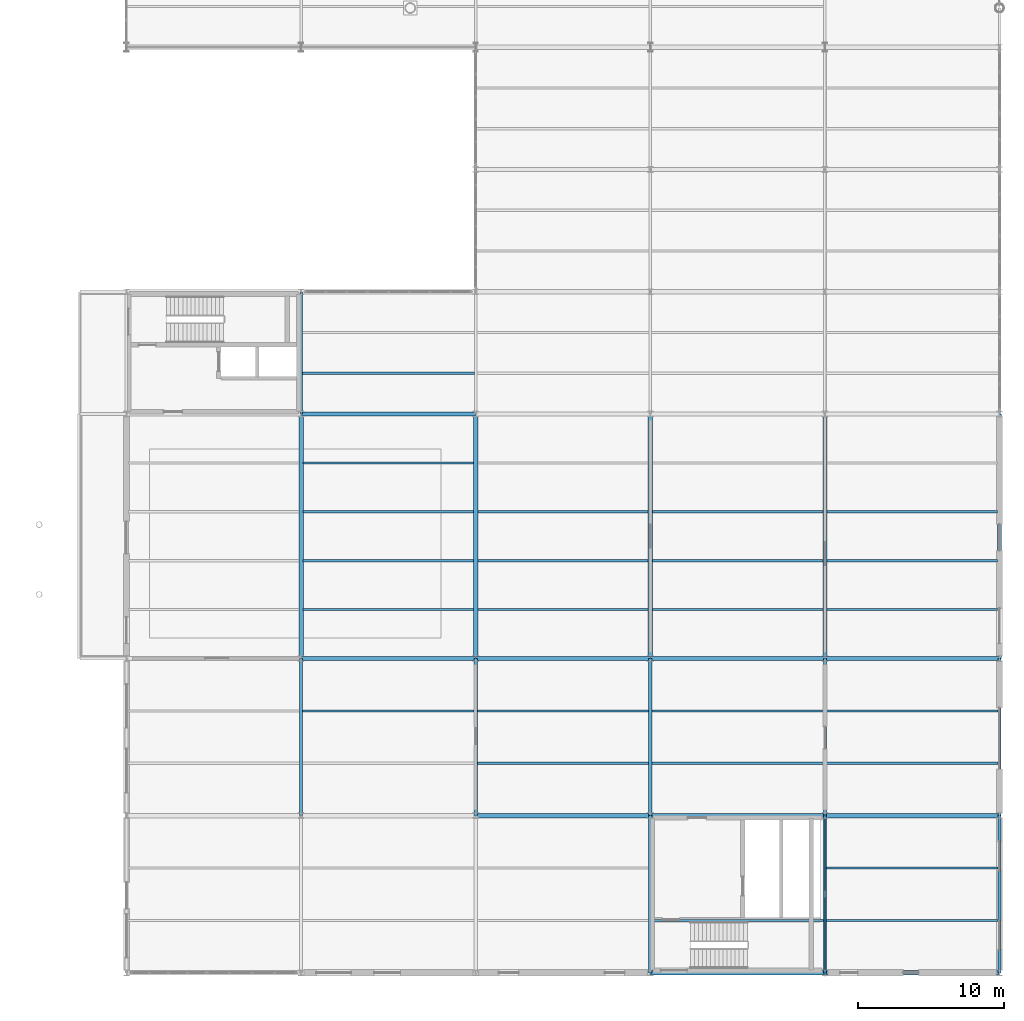
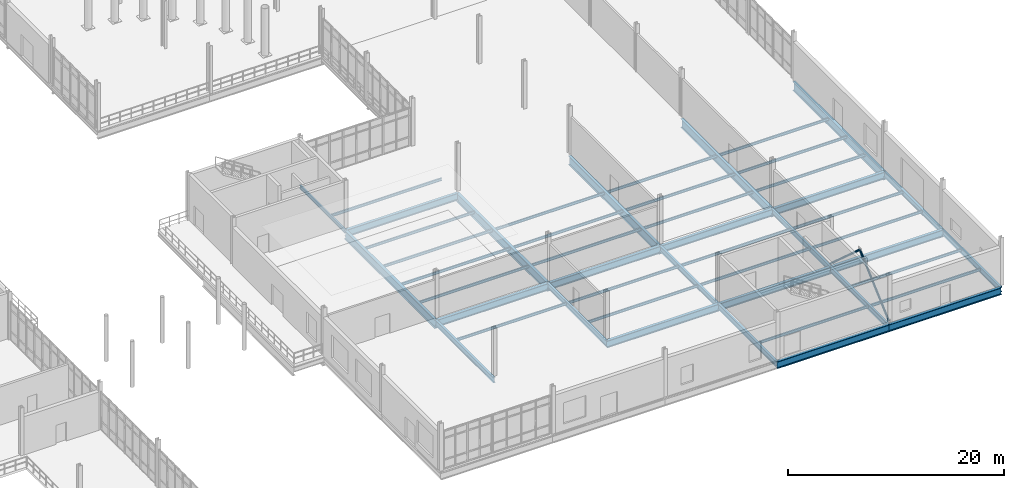
# One storey, part 64 of 111: 48 beams, 2 members.
"""IFC4 building model written with IfcOpenShell, lengths in metres."""

from ifc_helpers import new_model, si_unit, direction, frame, origin, origin_2d, place, context, subcontext, project, spatial, hollow_circle, i_section, extrude, material, material_profile, profile_set, type_object, element, save


model = new_model("IFC4")

# Units and contexts
model_context = context("Model", 3, precision=1e-05, world=origin(), true_north=direction((0.0, 1.0)))
body_context = subcontext(model_context, "Body", "Model", "MODEL_VIEW")
ifc_project = project(units=[si_unit("LENGTHUNIT", "METRE"), si_unit("AREAUNIT", "SQUARE_METRE"), si_unit("VOLUMEUNIT", "CUBIC_METRE"), si_unit("PLANEANGLEUNIT", "RADIAN"), si_unit("MASSUNIT", "GRAM", prefix="KILO"), si_unit("THERMODYNAMICTEMPERATUREUNIT", "KELVIN"), si_unit("POWERUNIT", "WATT")], contexts=[model_context])

# Site, building, storey
site_placement = place(None, origin())
site = spatial("IfcSite", under=ifc_project, at=site_placement, CompositionType="ELEMENT")
building_placement = place(site_placement, origin())
building = spatial("IfcBuilding", under=site, at=building_placement, Name="Tembeka Court Mobility Hub", CompositionType="ELEMENT")
storey_placement = place(building_placement, origin())
storey = spatial("IfcBuildingStorey", under=building, at=storey_placement, Name="L00", CompositionType="ELEMENT", Elevation=0.0)

# Beams
ifc_material = material(Name="Steel S355", Category="steel")
ifc_material_profile_1 = material_profile(ifc_material, i_section(OverallWidth=0.177978515625, OverallDepth=0.406005859375, WebThickness=0.0078125, FlangeThickness=0.0126953125, FilletRadius=0.01025390625, at=origin_2d()), Name="UKB 406x178x60")
ifc_profile_set_1 = profile_set([ifc_material_profile_1], Name="Steel S355")
beam_type_1 = type_object("IfcBeamType", Name="BM-B02", PredefinedType="BEAM", material=ifc_profile_set_1)
beam_1_placement = place(storey_placement, frame((128.39990234375, 38.39990234375, -0.48291015625), z_axis=(0.0, 1.0, 0.0), x_axis=(-1.0, 0.0, 0.0)))
element("IfcBeam", 1, at=beam_1_placement, inside=storey, type_object=beam_type_1, Name="Beam B02 (BM-L00-Y0287)", PredefinedType="BEAM", context=body_context, shape_type="SweptSolid", body=[
    extrude(i_section(OverallWidth=0.177978515625, OverallDepth=0.406005859375, WebThickness=0.0078125, FlangeThickness=0.0126953125, FilletRadius=0.01025390625, at=origin_2d()), origin(), (0.0, 0.0, 1.0), 8.400146484375),
])
ifc_material_profile_2 = material_profile(ifc_material, i_section(OverallWidth=0.22900390625, OverallDepth=0.612060546875, WebThickness=0.011962890625, FlangeThickness=0.01953125, FilletRadius=0.0126953125, at=origin_2d()), Name="UKB 610x229x125")
ifc_profile_set_2 = profile_set([ifc_material_profile_2], Name="Steel S355")
beam_type_2 = type_object("IfcBeamType", Name="BM-G02", PredefinedType="USERDEFINED", material=ifc_profile_set_2)
for number, where, z_axis, x_axis, name in (
    (2, (128.39990234375, 10.800048828125, -0.5859375), (0.0, 1.0, 0.0), (-1.0, 0.0, 0.0), "Beam G02 (BM-L00-Y0285)"),
    (3, (140.39990234375, 10.800048828125, -0.5859375), (0.0, 1.0, 0.0), (-1.0, 0.0, 0.0), "Beam G02 (BM-L00-Y0293)"),
    (4, (152.39990234375, 0.0, -0.5859375), (0.0, 1.0, 0.0), (-1.0, 0.0, 0.0), "Beam G02 (BM-L00-Y0301)"),
    (5, (152.39990234375, 10.800048828125, -0.5859375), (0.0, 1.0, 0.0), (-1.0, 0.0, 0.0), "Beam G02 (BM-L00-Y0302)"),
    (6, (164.39990234375, 0.0, -0.5859375), (0.0, 1.0, 0.0), (-1.0, 0.0, 0.0), "Beam G02 (BM-L00-Y0310)"),
    (7, (164.39990234375, 10.800048828125, -0.5859375), (0.0, 1.0, 0.0), (-1.0, 0.0, 0.0), "Beam G02 (BM-L00-Y0311)"),
    (8, (176.39990234375, 0.0, -0.5859375), (0.0, 1.0, 0.0), (-1.0, 0.0, 0.0), "Beam G02 (BM-L00-Y0319)"),
    (9, (176.39990234375, 10.800048828125, -0.5859375), (0.0, 1.0, 0.0), (-1.0, 0.0, 0.0), "Beam G02 (BM-L00-Y0320)"),
):
    element("IfcBeam", number, at=place(storey_placement, frame(where, z_axis=z_axis, x_axis=x_axis)), inside=storey, type_object=beam_type_2, Name=name, ObjectType="GIRDER", PredefinedType="USERDEFINED", context=body_context, shape_type="SweptSolid", body=[
        extrude(i_section(OverallWidth=0.22900390625, OverallDepth=0.612060546875, WebThickness=0.011962890625, FlangeThickness=0.01953125, FilletRadius=0.0126953125, at=origin_2d()), origin(), (0.0, 0.0, 1.0), 10.800048828125),
    ])
ifc_material_profile_3 = material_profile(ifc_material, i_section(OverallWidth=0.300048828125, OverallDepth=0.800048828125, WebThickness=0.017578125, FlangeThickness=0.034912109375, FilletRadius=0.030029296875, at=origin_2d()), Name="HEB 800")
ifc_profile_set_3 = profile_set([ifc_material_profile_3], Name="Steel S355")
beam_type_3 = type_object("IfcBeamType", Name="BM-G04", PredefinedType="USERDEFINED", material=ifc_profile_set_3)
for number, where, z_axis, x_axis, name in (
    (10, (152.39990234375, 0.0, -0.679931640625), (1.0, 0.0, 0.0), (0.0, 1.0, 0.0), "Beam G04 (BM-L00-X0014)"),
    (11, (164.39990234375, 0.0, -0.679931640625), (1.0, 0.0, 0.0), (0.0, 1.0, 0.0), "Beam G04 (BM-L00-X0015)"),
    (12, (140.39990234375, 10.800048828125, -0.679931640625), (1.0, 0.0, 0.0), (0.0, 1.0, 0.0), "Beam G04 (BM-L00-X0021)"),
    (13, (152.39990234375, 10.800048828125, -0.679931640625), (1.0, 0.0, 0.0), (0.0, 1.0, 0.0), "Beam G04 (BM-L00-X0022)"),
    (14, (164.39990234375, 10.800048828125, -0.679931640625), (1.0, 0.0, 0.0), (0.0, 1.0, 0.0), "Beam G04 (BM-L00-X0023)"),
    (15, (128.39990234375, 21.60009765625, -0.679931640625), (1.0, 0.0, 0.0), (0.0, 1.0, 0.0), "Beam G04 (BM-L00-X0037)"),
    (16, (140.39990234375, 21.60009765625, -0.679931640625), (1.0, 0.0, 0.0), (0.0, 1.0, 0.0), "Beam G04 (BM-L00-X0038)"),
    (17, (152.39990234375, 21.60009765625, -0.679931640625), (1.0, 0.0, 0.0), (0.0, 1.0, 0.0), "Beam G04 (BM-L00-X0039)"),
    (18, (164.39990234375, 21.60009765625, -0.679931640625), (1.0, 0.0, 0.0), (0.0, 1.0, 0.0), "Beam G04 (BM-L00-X0040)"),
    (19, (128.39990234375, 38.39990234375, -0.679931640625), (1.0, 0.0, 0.0), (0.0, 1.0, 0.0), "Beam G04 (BM-L00-X0055)"),
):
    element("IfcBeam", number, at=place(storey_placement, frame(where, z_axis=z_axis, x_axis=x_axis)), inside=storey, type_object=beam_type_3, Name=name, ObjectType="GIRDER", PredefinedType="USERDEFINED", context=body_context, shape_type="SweptSolid", body=[
        extrude(i_section(OverallWidth=0.300048828125, OverallDepth=0.800048828125, WebThickness=0.017578125, FlangeThickness=0.034912109375, FilletRadius=0.030029296875, at=origin_2d()), origin(), (0.0, 0.0, 1.0), 12.0),
    ])
ifc_material_profile_4 = material_profile(ifc_material, i_section(OverallWidth=0.14990234375, OverallDepth=0.300048828125, WebThickness=0.007080078125, FlangeThickness=0.0107421875, FilletRadius=0.014892578125, at=origin_2d()), Name="IPE 300")
ifc_profile_set_4 = profile_set([ifc_material_profile_4], Name="Steel S355")
beam_type_4 = type_object("IfcBeamType", Name="BM-J04", PredefinedType="JOIST", material=ifc_profile_set_4)
beam_2_placement = place(storey_placement, frame((128.509521484375, 18.0, -0.429931640625), z_axis=(1.0, 0.0, 0.0), x_axis=(0.0, 1.0, 0.0)))
element("IfcBeam", 20, at=beam_2_placement, inside=storey, type_object=beam_type_4, Name="Beam J04 (JST-L00-0540)", PredefinedType="JOIST", context=body_context, shape_type="SweptSolid", body=[
    extrude(i_section(OverallWidth=0.14990234375, OverallDepth=0.300048828125, WebThickness=0.007080078125, FlangeThickness=0.0107421875, FilletRadius=0.014892578125, at=origin_2d()), origin(), (0.0, 0.0, 1.0), 11.781005859375),
])
for number, where, z_axis, x_axis, name in (
    (21, (128.544921875, 24.9599609375, -0.429931640625), (1.0, 0.0, 0.0), (0.0, 1.0, 0.0), "Beam J04 (JST-L00-0541)"),
    (22, (128.544921875, 28.320068359375, -0.429931640625), (1.0, 0.0, 0.0), (0.0, 1.0, 0.0), "Beam J04 (JST-L00-0542)"),
    (23, (128.544921875, 31.679931640625, -0.429931640625), (1.0, 0.0, 0.0), (0.0, 1.0, 0.0), "Beam J04 (JST-L00-0543)"),
    (24, (128.544921875, 35.0400390625, -0.429931640625), (1.0, 0.0, 0.0), (0.0, 1.0, 0.0), "Beam J04 (JST-L00-0544)"),
):
    element("IfcBeam", number, at=place(storey_placement, frame(where, z_axis=z_axis, x_axis=x_axis)), inside=storey, type_object=beam_type_4, Name=name, PredefinedType="JOIST", context=body_context, shape_type="SweptSolid", body=[
        extrude(i_section(OverallWidth=0.14990234375, OverallDepth=0.300048828125, WebThickness=0.007080078125, FlangeThickness=0.0107421875, FilletRadius=0.014892578125, at=origin_2d()), origin(), (0.0, 0.0, 1.0), 11.7099609375),
    ])
beam_3_placement = place(storey_placement, frame((128.48388671875, 41.199951171875, -0.429931640625), z_axis=(1.0, 0.0, 0.0), x_axis=(0.0, 1.0, 0.0)))
element("IfcBeam", 25, at=beam_3_placement, inside=storey, type_object=beam_type_4, Name="Beam J04 (JST-L00-0545)", PredefinedType="JOIST", context=body_context, shape_type="SweptSolid", body=[
    extrude(i_section(OverallWidth=0.14990234375, OverallDepth=0.300048828125, WebThickness=0.007080078125, FlangeThickness=0.0107421875, FilletRadius=0.014892578125, at=origin_2d()), origin(), (0.0, 0.0, 1.0), 11.83203125),
])
for number, where, z_axis, x_axis, name in (
    (26, (140.509521484375, 14.39990234375, -0.429931640625), (1.0, 0.0, 0.0), (0.0, 1.0, 0.0), "Beam J04 (JST-L00-0554)"),
    (27, (140.509521484375, 18.0, -0.429931640625), (1.0, 0.0, 0.0), (0.0, 1.0, 0.0), "Beam J04 (JST-L00-0555)"),
):
    element("IfcBeam", number, at=place(storey_placement, frame(where, z_axis=z_axis, x_axis=x_axis)), inside=storey, type_object=beam_type_4, Name=name, PredefinedType="JOIST", context=body_context, shape_type="SweptSolid", body=[
        extrude(i_section(OverallWidth=0.14990234375, OverallDepth=0.300048828125, WebThickness=0.007080078125, FlangeThickness=0.0107421875, FilletRadius=0.014892578125, at=origin_2d()), origin(), (0.0, 0.0, 1.0), 11.781005859375),
    ])
for number, where, z_axis, x_axis, name in (
    (28, (140.544921875, 24.9599609375, -0.429931640625), (1.0, 0.0, 0.0), (0.0, 1.0, 0.0), "Beam J04 (JST-L00-0556)"),
    (29, (140.544921875, 28.320068359375, -0.429931640625), (1.0, 0.0, 0.0), (0.0, 1.0, 0.0), "Beam J04 (JST-L00-0557)"),
    (30, (140.544921875, 31.679931640625, -0.429931640625), (1.0, 0.0, 0.0), (0.0, 1.0, 0.0), "Beam J04 (JST-L00-0558)"),
):
    element("IfcBeam", number, at=place(storey_placement, frame(where, z_axis=z_axis, x_axis=x_axis)), inside=storey, type_object=beam_type_4, Name=name, PredefinedType="JOIST", context=body_context, shape_type="SweptSolid", body=[
        extrude(i_section(OverallWidth=0.14990234375, OverallDepth=0.300048828125, WebThickness=0.007080078125, FlangeThickness=0.0107421875, FilletRadius=0.014892578125, at=origin_2d()), origin(), (0.0, 0.0, 1.0), 11.7099609375),
    ])
for number, where, z_axis, x_axis, name in (
    (31, (152.509521484375, 3.60009765625, -0.429931640625), (1.0, 0.0, 0.0), (0.0, 1.0, 0.0), "Beam J04 (JST-L00-0571)"),
    (32, (152.509521484375, 14.39990234375, -0.429931640625), (1.0, 0.0, 0.0), (0.0, 1.0, 0.0), "Beam J04 (JST-L00-0572)"),
    (33, (152.509521484375, 18.0, -0.429931640625), (1.0, 0.0, 0.0), (0.0, 1.0, 0.0), "Beam J04 (JST-L00-0573)"),
):
    element("IfcBeam", number, at=place(storey_placement, frame(where, z_axis=z_axis, x_axis=x_axis)), inside=storey, type_object=beam_type_4, Name=name, PredefinedType="JOIST", context=body_context, shape_type="SweptSolid", body=[
        extrude(i_section(OverallWidth=0.14990234375, OverallDepth=0.300048828125, WebThickness=0.007080078125, FlangeThickness=0.0107421875, FilletRadius=0.014892578125, at=origin_2d()), origin(), (0.0, 0.0, 1.0), 11.781005859375),
    ])
for number, where, z_axis, x_axis, name in (
    (34, (152.544921875, 24.9599609375, -0.429931640625), (1.0, 0.0, 0.0), (0.0, 1.0, 0.0), "Beam J04 (JST-L00-0574)"),
    (35, (152.544921875, 28.320068359375, -0.429931640625), (1.0, 0.0, 0.0), (0.0, 1.0, 0.0), "Beam J04 (JST-L00-0575)"),
    (36, (152.544921875, 31.679931640625, -0.429931640625), (1.0, 0.0, 0.0), (0.0, 1.0, 0.0), "Beam J04 (JST-L00-0576)"),
):
    element("IfcBeam", number, at=place(storey_placement, frame(where, z_axis=z_axis, x_axis=x_axis)), inside=storey, type_object=beam_type_4, Name=name, PredefinedType="JOIST", context=body_context, shape_type="SweptSolid", body=[
        extrude(i_section(OverallWidth=0.14990234375, OverallDepth=0.300048828125, WebThickness=0.007080078125, FlangeThickness=0.0107421875, FilletRadius=0.014892578125, at=origin_2d()), origin(), (0.0, 0.0, 1.0), 11.7099609375),
    ])
for number, where, z_axis, x_axis, name in (
    (37, (164.509521484375, 3.60009765625, -0.429931640625), (1.0, 0.0, 0.0), (0.0, 1.0, 0.0), "Beam J04 (JST-L00-0591)"),
    (38, (164.509521484375, 7.199951171875, -0.429931640625), (1.0, 0.0, 0.0), (0.0, 1.0, 0.0), "Beam J04 (JST-L00-0592)"),
    (39, (164.509521484375, 14.39990234375, -0.429931640625), (1.0, 0.0, 0.0), (0.0, 1.0, 0.0), "Beam J04 (JST-L00-0593)"),
    (40, (164.509521484375, 18.0, -0.429931640625), (1.0, 0.0, 0.0), (0.0, 1.0, 0.0), "Beam J04 (JST-L00-0594)"),
):
    element("IfcBeam", number, at=place(storey_placement, frame(where, z_axis=z_axis, x_axis=x_axis)), inside=storey, type_object=beam_type_4, Name=name, PredefinedType="JOIST", context=body_context, shape_type="SweptSolid", body=[
        extrude(i_section(OverallWidth=0.14990234375, OverallDepth=0.300048828125, WebThickness=0.007080078125, FlangeThickness=0.0107421875, FilletRadius=0.014892578125, at=origin_2d()), origin(), (0.0, 0.0, 1.0), 11.781005859375),
    ])
for number, where, z_axis, x_axis, name in (
    (41, (164.544921875, 24.9599609375, -0.429931640625), (1.0, 0.0, 0.0), (0.0, 1.0, 0.0), "Beam J04 (JST-L00-0595)"),
    (42, (164.544921875, 28.320068359375, -0.429931640625), (1.0, 0.0, 0.0), (0.0, 1.0, 0.0), "Beam J04 (JST-L00-0596)"),
    (43, (164.544921875, 31.679931640625, -0.429931640625), (1.0, 0.0, 0.0), (0.0, 1.0, 0.0), "Beam J04 (JST-L00-0597)"),
):
    element("IfcBeam", number, at=place(storey_placement, frame(where, z_axis=z_axis, x_axis=x_axis)), inside=storey, type_object=beam_type_4, Name=name, PredefinedType="JOIST", context=body_context, shape_type="SweptSolid", body=[
        extrude(i_section(OverallWidth=0.14990234375, OverallDepth=0.300048828125, WebThickness=0.007080078125, FlangeThickness=0.0107421875, FilletRadius=0.014892578125, at=origin_2d()), origin(), (0.0, 0.0, 1.0), 11.7099609375),
    ])
ifc_material_profile_5 = material_profile(ifc_material, i_section(OverallWidth=0.300048828125, OverallDepth=1.0, WebThickness=0.01904296875, FlangeThickness=0.035888671875, FilletRadius=0.030029296875, at=origin_2d()), Name="HEB 1000")
ifc_profile_set_5 = profile_set([ifc_material_profile_5], Name="Steel S355")
beam_type_5 = type_object("IfcBeamType", Name="BM-TG01", PredefinedType="USERDEFINED", material=ifc_profile_set_5)
for number, where, z_axis, x_axis, name in (
    (44, (128.39990234375, 21.60009765625, -0.780029296875), (0.0, 1.0, 0.0), (-1.0, 0.0, 0.0), "Beam TG01 (BM-L00-Y0286)"),
    (45, (140.39990234375, 21.60009765625, -0.780029296875), (0.0, 1.0, 0.0), (-1.0, 0.0, 0.0), "Beam TG01 (BM-L00-Y0294)"),
    (46, (152.39990234375, 21.60009765625, -0.780029296875), (0.0, 1.0, 0.0), (-1.0, 0.0, 0.0), "Beam TG01 (BM-L00-Y0303)"),
    (47, (164.39990234375, 21.60009765625, -0.780029296875), (0.0, 1.0, 0.0), (-1.0, 0.0, 0.0), "Beam TG01 (BM-L00-Y0312)"),
    (48, (176.39990234375, 21.60009765625, -0.780029296875), (0.0, 1.0, 0.0), (-1.0, 0.0, 0.0), "Beam TG01 (BM-L00-Y0321)"),
):
    element("IfcBeam", number, at=place(storey_placement, frame(where, z_axis=z_axis, x_axis=x_axis)), inside=storey, type_object=beam_type_5, Name=name, ObjectType="GIRDER", PredefinedType="USERDEFINED", context=body_context, shape_type="SweptSolid", body=[
        extrude(i_section(OverallWidth=0.300048828125, OverallDepth=1.0, WebThickness=0.01904296875, FlangeThickness=0.035888671875, FilletRadius=0.030029296875, at=origin_2d()), origin(), (0.0, 0.0, 1.0), 16.7998046875),
    ])

# Members
ifc_material_profile_6 = material_profile(ifc_material, hollow_circle(Radius=0.109619140625, WallThickness=0.010009765625, at=origin_2d()), Name="CHS 219.1x10")
ifc_profile_set_6 = profile_set([ifc_material_profile_6], Name="Steel S355")
member_type = type_object("IfcMemberType", Name="MEM-BR01", PredefinedType="BRACE", material=ifc_profile_set_6)
member_1_placement = place(storey_placement, frame((164.39990234375, 0.0, 0.02001953125), z_axis=(0.0, 0.745338252968, 0.666686499535), x_axis=(-1.0, 0.0, 0.0)))
element("IfcMember", 49, at=member_1_placement, inside=storey, type_object=member_type, Name="Steel chevron brace BR01 (L00-14A)", PredefinedType="BRACE", context=body_context, shape_type="SweptSolid", body=[
    extrude(hollow_circle(Radius=0.109619140625, WallThickness=0.010009765625, at=origin_2d()), origin(), (0.0, 0.0, 1.0), 7.244873046875),
])
member_2_placement = place(storey_placement, frame((164.39990234375, 10.800048828125, 0.02001953125), z_axis=(0.0, -0.745353230302, 0.666669754885), x_axis=(1.0, 0.0, 0.0)))
element("IfcMember", 50, at=member_2_placement, inside=storey, type_object=member_type, Name="Steel chevron brace BR01 (L00-14B)", PredefinedType="BRACE", context=body_context, shape_type="SweptSolid", body=[
    extrude(hollow_circle(Radius=0.109619140625, WallThickness=0.010009765625, at=origin_2d()), origin(), (0.0, 0.0, 1.0), 7.2451171875),
])

save(model, "model.ifc")
